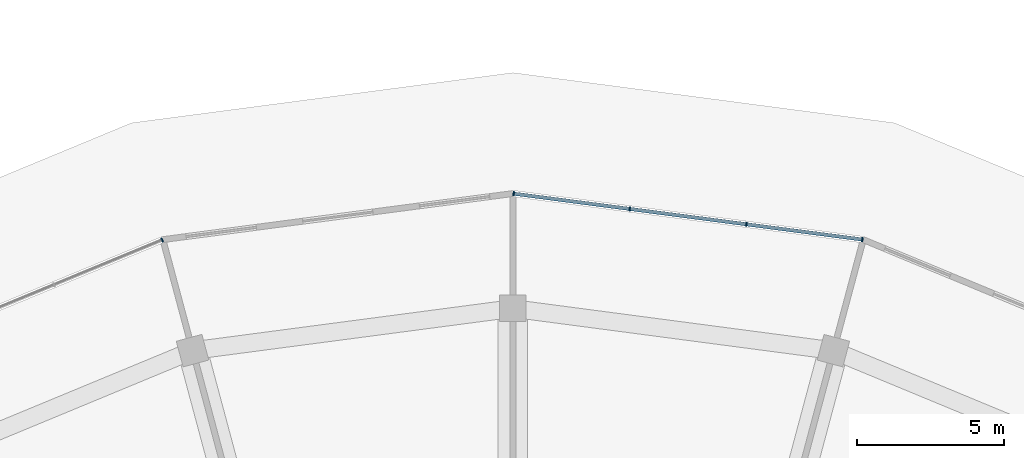
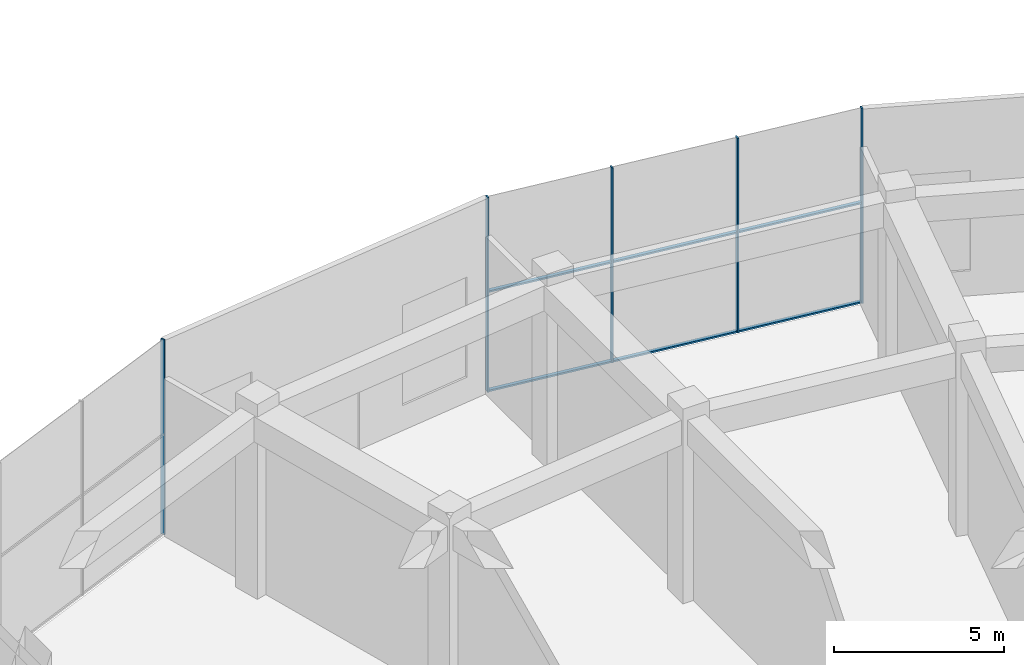
# One storey, part 15 of 31: 11 members, 2 elements without a shape of their own.
"""IFC4 building model written with IfcOpenShell, lengths in metres."""

from ifc_helpers import new_model, si_unit, direction, frame, origin, origin_2d, place, context, subcontext, project, spatial, rectangle, extrude, material, layer, layer_set, material_profile, profile_set, type_object, element, aggregate, save


model = new_model("IFC4")

# Units and contexts
model_context = context("Model", 3, precision=1e-05, world=origin(), true_north=direction((0.0, 1.0)))
body_context = subcontext(model_context, "Body", "Model", "MODEL_VIEW")
ifc_project = project(units=[si_unit("LENGTHUNIT", "METRE"), si_unit("AREAUNIT", "SQUARE_METRE"), si_unit("VOLUMEUNIT", "CUBIC_METRE"), si_unit("PLANEANGLEUNIT", "RADIAN"), si_unit("MASSUNIT", "GRAM", prefix="KILO")], contexts=[model_context])

# Site, building, storey
site_placement = place(None, origin())
site = spatial("IfcSite", under=ifc_project, at=site_placement, CompositionType="ELEMENT")
building_placement = place(site_placement, origin())
building = spatial("IfcBuilding", under=site, at=building_placement, Name="Torre Brocal", CompositionType="ELEMENT")
storey_placement = place(building_placement, origin())
storey = spatial("IfcBuildingStorey", under=building, at=storey_placement, Name="L00", CompositionType="ELEMENT", Elevation=0.0)

# Curtain wall, members
ifc_material_1 = material(Name="Aluminium and glass", Category="aluminium")
ifc_layer = layer(ifc_material_1, 0.199951171875)
ifc_layer_set = layer_set([ifc_layer], Name="Aluminium and glass")
curtain_wall_type = type_object("IfcCurtainWallType", Name="CW-3 CURTAIN WALL 7000 HIGH", PredefinedType="NOTDEFINED", material=ifc_layer_set)
curtain_wall_1_placement = place(storey_placement, origin())
curtain_wall_1 = element("IfcCurtainWall", 1, at=curtain_wall_1_placement, inside=storey, type_object=curtain_wall_type, Name="CW-3 RUN 6", PredefinedType="NOTDEFINED")
ifc_material_2 = material(Name="Aluminium, dark anodised", Category="aluminium")
ifc_material_profile_1 = material_profile(ifc_material_2, rectangle(XDim=0.14990234375, YDim=0.050048828125, at=origin_2d()), Name="CW-3 MULLION 50X150")
ifc_profile_set_1 = profile_set([ifc_material_profile_1], Name="Aluminium, dark anodised")
member_type_1 = type_object("IfcMemberType", Name="CW-3 MULLION 50X150", PredefinedType="MULLION", material=ifc_profile_set_1)
member_1_placement = place(storey_placement, frame((91.854736328125, 119.33837890625, 0.0), z_axis=(0.0, 0.0, 1.0), x_axis=(-0.130526192237, -0.991444861372, 0.0)))
member_1 = element("IfcMember", 2, at=member_1_placement, type_object=member_type_1, Name="CW3-1 mullion 1", PredefinedType="MULLION", context=body_context, shape_type="SweptSolid", body=[
    extrude(rectangle(XDim=0.14990234375, YDim=0.050048828125, at=origin_2d()), origin(), (0.0, 0.0, 1.0), 7.0),
])
member_2_placement = place(storey_placement, frame((87.919677734375, 119.8564453125, 0.0), z_axis=(0.0, 0.0, 1.0), x_axis=(-0.130526192237, -0.991444861372, 0.0)))
member_2 = element("IfcMember", 3, at=member_2_placement, type_object=member_type_1, Name="CW3-1 mullion 2", PredefinedType="MULLION", context=body_context, shape_type="SweptSolid", body=[
    extrude(rectangle(XDim=0.14990234375, YDim=0.050048828125, at=origin_2d()), origin(), (0.0, 0.0, 1.0), 7.0),
])
member_3_placement = place(storey_placement, frame((83.9599609375, 120.3779296875, 0.0), z_axis=(0.0, 0.0, 1.0), x_axis=(-0.130526192237, -0.991444861372, 0.0)))
member_3 = element("IfcMember", 4, at=member_3_placement, type_object=member_type_1, Name="CW3-1 mullion 3", PredefinedType="MULLION", context=body_context, shape_type="SweptSolid", body=[
    extrude(rectangle(XDim=0.14990234375, YDim=0.050048828125, at=origin_2d()), origin(), (0.0, 0.0, 1.0), 7.0),
])
member_4_placement = place(storey_placement, frame((80.02490234375, 120.895751953125, 0.0), z_axis=(0.0, 0.0, 1.0), x_axis=(-0.130526192237, -0.991444861372, 0.0)))
member_4 = element("IfcMember", 5, at=member_4_placement, type_object=member_type_1, Name="CW3-1 mullion 4", PredefinedType="MULLION", context=body_context, shape_type="SweptSolid", body=[
    extrude(rectangle(XDim=0.14990234375, YDim=0.050048828125, at=origin_2d()), origin(), (0.0, 0.0, 1.0), 7.0),
])

# Curtain wall, member
curtain_wall_2_placement = place(storey_placement, origin())
curtain_wall_2 = element("IfcCurtainWall", 6, at=curtain_wall_2_placement, inside=storey, type_object=curtain_wall_type, Name="CW-3 RUN 8", PredefinedType="NOTDEFINED")
member_5_placement = place(storey_placement, frame((68.097412109375, 119.32568359375, 0.0), z_axis=(0.0, 0.0, 1.0), x_axis=(0.382683432333, -0.923879532525, 0.0)))
member_5 = element("IfcMember", 7, at=member_5_placement, type_object=member_type_1, Name="CW3-1 mullion 1", PredefinedType="MULLION", context=body_context, shape_type="SweptSolid", body=[
    extrude(rectangle(XDim=0.14990234375, YDim=0.050048828125, at=origin_2d()), origin(), (0.0, 0.0, 1.0), 7.0),
])
aggregate(curtain_wall_2, [member_5])

# Member
ifc_material_3 = material(Name="Aluminium, dark anodised", Category="aluminium")
ifc_material_profile_2 = material_profile(ifc_material_3, rectangle(XDim=0.1201171875, YDim=0.06005859375, at=origin_2d()), Name="CW-3 TRANSOM 120X60")
ifc_profile_set_2 = profile_set([ifc_material_profile_2], Name="Aluminium, dark anodised")
member_type_2 = type_object("IfcMemberType", Name="CW-3 TRANSOM 120X60", PredefinedType="USERDEFINED", material=ifc_profile_set_2)
member_6_placement = place(storey_placement, frame((91.830078125, 119.341796875, 0.030029296875), z_axis=(-0.991446872654, 0.130510914119, 0.0), x_axis=(-0.130510914119, -0.991446872654, 0.0)))
member_6 = element("IfcMember", 8, at=member_6_placement, type_object=member_type_2, Name="CW3-1 transom 1.1", ObjectType="TRANSOM", PredefinedType="USERDEFINED", context=body_context, shape_type="SweptSolid", body=[
    extrude(rectangle(XDim=0.1201171875, YDim=0.06005859375, at=origin_2d()), origin(), (0.0, 0.0, 1.0), 3.9189453125),
])

member_7_placement = place(storey_placement, frame((91.830078125, 119.341796875, 3.60009765625), z_axis=(-0.991446872654, 0.130510914119, 0.0), x_axis=(-0.130510914119, -0.991446872654, 0.0)))
member_7 = element("IfcMember", 9, at=member_7_placement, type_object=member_type_2, Name="CW3-1 transom 1.2", ObjectType="TRANSOM", PredefinedType="USERDEFINED", context=body_context, shape_type="SweptSolid", body=[
    extrude(rectangle(XDim=0.1201171875, YDim=0.06005859375, at=origin_2d()), origin(), (0.0, 0.0, 1.0), 3.9189453125),
])

member_8_placement = place(storey_placement, frame((87.89501953125, 119.85986328125, 0.030029296875), z_axis=(-0.991450292021, 0.130484935729, 0.0), x_axis=(-0.130484935729, -0.991450292021, 0.0)))
member_8 = element("IfcMember", 10, at=member_8_placement, type_object=member_type_2, Name="CW3-1 transom 2.1", ObjectType="TRANSOM", PredefinedType="USERDEFINED", context=body_context, shape_type="SweptSolid", body=[
    extrude(rectangle(XDim=0.1201171875, YDim=0.06005859375, at=origin_2d()), origin(), (0.0, 0.0, 1.0), 3.944091796875),
])

member_9_placement = place(storey_placement, frame((87.89501953125, 119.85986328125, 3.60009765625), z_axis=(-0.991450292021, 0.130484935729, 0.0), x_axis=(-0.130484935729, -0.991450292021, 0.0)))
member_9 = element("IfcMember", 11, at=member_9_placement, type_object=member_type_2, Name="CW3-1 transom 2.2", ObjectType="TRANSOM", PredefinedType="USERDEFINED", context=body_context, shape_type="SweptSolid", body=[
    extrude(rectangle(XDim=0.1201171875, YDim=0.06005859375, at=origin_2d()), origin(), (0.0, 0.0, 1.0), 3.944091796875),
])

member_10_placement = place(storey_placement, frame((83.93505859375, 120.381103515625, 0.030029296875), z_axis=(-0.991446872654, 0.130510914119, 0.0), x_axis=(-0.130510914119, -0.991446872654, 0.0)))
member_10 = element("IfcMember", 12, at=member_10_placement, type_object=member_type_2, Name="CW3-1 transom 3.1", ObjectType="TRANSOM", PredefinedType="USERDEFINED", context=body_context, shape_type="SweptSolid", body=[
    extrude(rectangle(XDim=0.1201171875, YDim=0.06005859375, at=origin_2d()), origin(), (0.0, 0.0, 1.0), 3.9189453125),
])

member_11_placement = place(storey_placement, frame((83.93505859375, 120.381103515625, 3.60009765625), z_axis=(-0.991446872654, 0.130510914119, 0.0), x_axis=(-0.130510914119, -0.991446872654, 0.0)))
member_11 = element("IfcMember", 13, at=member_11_placement, type_object=member_type_2, Name="CW3-1 transom 3.2", ObjectType="TRANSOM", PredefinedType="USERDEFINED", context=body_context, shape_type="SweptSolid", body=[
    extrude(rectangle(XDim=0.1201171875, YDim=0.06005859375, at=origin_2d()), origin(), (0.0, 0.0, 1.0), 3.9189453125),
])

aggregate(curtain_wall_1, [member_1, member_2, member_3, member_4, member_6, member_7, member_8, member_9, member_10, member_11])

save(model, "model.ifc")
